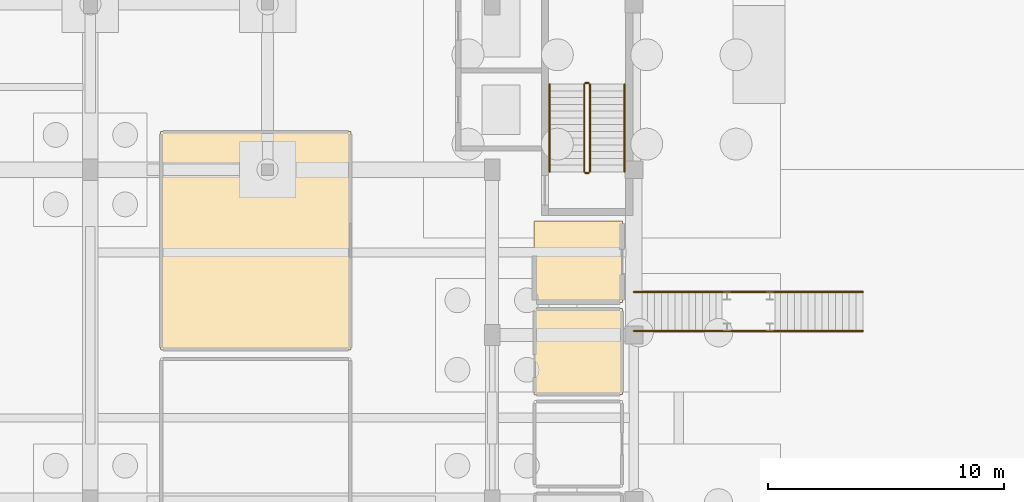
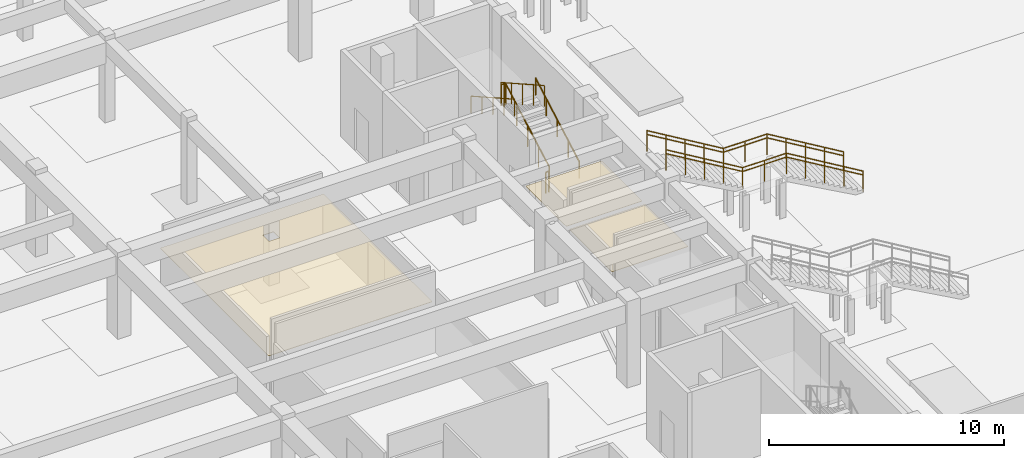
# One storey, part 81 of 84: 10 railings, 3 coverings.
"""IFC4 building model written with IfcOpenShell, lengths in metres."""

from ifc_helpers import new_model, si_unit, direction, frame, origin, origin_2d, place, context, subcontext, project, spatial, polyline, circle, outline, extrude, material, layer, layer_set, type_object, element, save


model = new_model("IFC4")

# Units and contexts
model_context = context("Model", 3, precision=1e-05, world=origin(), true_north=direction((0.0, 1.0)))
body_context = subcontext(model_context, "Body", "Model", "MODEL_VIEW")
ifc_project = project(units=[si_unit("LENGTHUNIT", "METRE"), si_unit("AREAUNIT", "SQUARE_METRE"), si_unit("VOLUMEUNIT", "CUBIC_METRE"), si_unit("PLANEANGLEUNIT", "RADIAN"), si_unit("MASSUNIT", "GRAM", prefix="KILO")], contexts=[model_context])

# Site, building, storey
site_placement = place(None, origin())
site = spatial("IfcSite", under=ifc_project, at=site_placement, CompositionType="ELEMENT")
building_placement = place(site_placement, origin())
building = spatial("IfcBuilding", under=site, at=building_placement, Name="Larkveld Mobility Hub", CompositionType="ELEMENT")
storey_placement = place(building_placement, origin())
storey = spatial("IfcBuildingStorey", under=building, at=storey_placement, Name="L00", CompositionType="ELEMENT", Elevation=0.0)

# Coverings
ifc_material_1 = material(Name="Perforated mineral-fibre acoustic ceiling", Category="masonry")
ifc_layer_1 = layer(ifc_material_1, 0.02001953125, Name="Perforated mineral-fibre acoustic ceiling", Category="masonry")
ifc_layer_set_1 = layer_set([ifc_layer_1], Name="Perforated mineral-fibre acoustic ceiling")
covering_type_1 = type_object("IfcCoveringType", Name="CV-CLG-020", PredefinedType="CEILING", material=ifc_layer_set_1)
covering_1_placement = place(storey_placement, frame((0.0, 0.0, 2.330078125)))
element("IfcCovering", 1, at=covering_1_placement, inside=storey, type_object=covering_type_1, Name="Cleaners Store Room Acoustic Ceiling 004", PredefinedType="CEILING", context=body_context, shape_type="SweptSolid", body=[
    extrude(outline(polyline([(147.820068359375, 50.3701171875), (147.81689453125, 50.3701171875), (147.81396484375, 50.37109375), (147.81103515625, 50.37109375), (147.80908203125, 50.3720703125), (147.805908203125, 50.3740234375), (147.802978515625, 50.375), (147.801025390625, 50.376953125), (147.799072265625, 50.37890625), (147.779052734375, 50.39892578125), (147.777099609375, 50.40087890625), (147.77490234375, 50.403076171875), (147.77392578125, 50.406005859375), (147.77197265625, 50.408935546875), (147.77099609375, 50.410888671875), (147.77099609375, 50.4140625), (147.77001953125, 50.4169921875), (147.77001953125, 50.419921875), (147.77587890625, 53.7939453125), (147.77587890625, 53.797119140625), (147.77587890625, 53.800048828125), (147.777099609375, 53.802978515625), (147.778076171875, 53.805908203125), (147.779052734375, 53.80810546875), (147.781005859375, 53.81103515625), (147.782958984375, 53.81298828125), (147.784912109375, 53.81494140625), (147.787109375, 53.81689453125), (147.7890625, 53.819091796875), (147.7919921875, 53.821044921875), (147.7939453125, 53.822021484375), (147.797119140625, 53.822998046875), (147.800048828125, 53.823974609375), (147.802978515625, 53.823974609375), (147.805908203125, 53.823974609375), (151.493896484375, 53.823974609375), (151.4970703125, 53.823974609375), (151.5, 53.823974609375), (151.5029296875, 53.822998046875), (151.506103515625, 53.822021484375), (151.508056640625, 53.821044921875), (151.510986328125, 53.819091796875), (151.512939453125, 53.81689453125), (151.514892578125, 53.81494140625), (151.51708984375, 53.81298828125), (151.51904296875, 53.81103515625), (151.52099609375, 53.80810546875), (151.52197265625, 53.805908203125), (151.52294921875, 53.802978515625), (151.52392578125, 53.800048828125), (151.52392578125, 53.797119140625), (151.52392578125, 53.7939453125), (151.52392578125, 50.406005859375), (151.52392578125, 50.403076171875), (151.52392578125, 50.39990234375), (151.52294921875, 50.39697265625), (151.52197265625, 50.39404296875), (151.52099609375, 50.39208984375), (151.51904296875, 50.388916015625), (151.51708984375, 50.386962890625), (151.514892578125, 50.385009765625), (151.512939453125, 50.383056640625), (151.510986328125, 50.381103515625), (151.508056640625, 50.37890625), (151.506103515625, 50.3779296875), (151.5029296875, 50.376953125), (151.5, 50.3759765625), (151.4970703125, 50.3759765625), (151.493896484375, 50.3759765625), (147.820068359375, 50.3701171875)])), origin(), (0.0, 0.0, 1.0), 0.02001953125),
])
covering_2_placement = place(storey_placement, frame((0.0, 0.0, 2.330078125)))
element("IfcCovering", 2, at=covering_2_placement, inside=storey, type_object=covering_type_1, Name="Concourse Espresso Cafe Acoustic Ceiling 008", PredefinedType="CEILING", context=body_context, shape_type="SweptSolid", body=[
    extrude(outline(polyline([(132.01708984375, 48.3701171875), (132.013916015625, 48.37109375), (132.010986328125, 48.37109375), (132.009033203125, 48.3720703125), (132.006103515625, 48.3740234375), (132.0029296875, 48.375), (132.0009765625, 48.376953125), (131.9990234375, 48.37890625), (131.97900390625, 48.39892578125), (131.97705078125, 48.40087890625), (131.97509765625, 48.403076171875), (131.97412109375, 48.406005859375), (131.971923828125, 48.408935546875), (131.970947265625, 48.410888671875), (131.970947265625, 48.4140625), (131.969970703125, 48.4169921875), (131.969970703125, 48.419921875), (131.97509765625, 57.593017578125), (131.97509765625, 57.595947265625), (131.97509765625, 57.59912109375), (131.97607421875, 57.60107421875), (131.97705078125, 57.60400390625), (131.97802734375, 57.60693359375), (131.97998046875, 57.60888671875), (131.98095703125, 57.612060546875), (131.98291015625, 57.614013671875), (131.986083984375, 57.615966796875), (131.988037109375, 57.617919921875), (131.989990234375, 57.618896484375), (131.992919921875, 57.6201171875), (131.99609375, 57.62109375), (131.9990234375, 57.6220703125), (132.001953125, 57.623046875), (132.0048828125, 57.623046875), (139.992919921875, 57.625), (139.99609375, 57.625), (139.9990234375, 57.625), (140.0009765625, 57.6240234375), (140.00390625, 57.623046875), (140.007080078125, 57.6220703125), (140.009033203125, 57.6201171875), (140.011962890625, 57.618896484375), (140.013916015625, 57.616943359375), (140.01611328125, 57.614013671875), (140.01806640625, 57.612060546875), (140.01904296875, 57.610107421875), (140.02001953125, 57.60693359375), (140.02099609375, 57.60400390625), (140.02197265625, 57.60107421875), (140.02294921875, 57.597900390625), (140.02294921875, 57.594970703125), (140.02490234375, 48.406982421875), (140.02490234375, 48.404052734375), (140.02490234375, 48.40087890625), (140.02392578125, 48.39892578125), (140.02294921875, 48.39599609375), (140.02197265625, 48.39306640625), (140.02001953125, 48.39111328125), (140.01904296875, 48.387939453125), (140.01708984375, 48.385986328125), (140.014892578125, 48.384033203125), (140.011962890625, 48.382080078125), (140.010009765625, 48.381103515625), (140.007080078125, 48.3798828125), (140.00390625, 48.37890625), (140.0009765625, 48.3779296875), (139.998046875, 48.376953125), (139.9951171875, 48.376953125), (132.02001953125, 48.3701171875), (132.01708984375, 48.3701171875)]), holes=[polyline([(136.7548828125, 55.7451171875), (136.7548828125, 56.2548828125), (136.2451171875, 56.2548828125), (136.2451171875, 55.7451171875), (136.7548828125, 55.7451171875)])]), origin(), (0.0, 0.0, 1.0), 0.02001953125),
])
ifc_material_2 = material(Name="Moisture-resistant gypsum board ceiling", Category="masonry")
ifc_layer_2 = layer(ifc_material_2, 0.02490234375, Name="Moisture-resistant gypsum board ceiling", Category="masonry")
ifc_layer_set_2 = layer_set([ifc_layer_2], Name="Moisture-resistant gypsum board ceiling")
covering_type_2 = type_object("IfcCoveringType", Name="CV-CLG-025", PredefinedType="CEILING", material=ifc_layer_set_2)
covering_3_placement = place(storey_placement, frame((0.0, 0.0, 2.324951171875)))
element("IfcCovering", 3, at=covering_3_placement, inside=storey, type_object=covering_type_2, Name="Accessible Unisex Toilet Acoustic Ceiling 003", PredefinedType="CEILING", context=body_context, shape_type="SweptSolid", body=[
    extrude(outline(polyline([(147.820068359375, 46.469970703125), (147.81689453125, 46.469970703125), (147.81396484375, 46.470947265625), (147.81103515625, 46.470947265625), (147.80908203125, 46.471923828125), (147.805908203125, 46.47412109375), (147.802978515625, 46.47509765625), (147.801025390625, 46.47705078125), (147.799072265625, 46.47900390625), (147.779052734375, 46.4990234375), (147.777099609375, 46.5009765625), (147.77490234375, 46.5029296875), (147.77392578125, 46.506103515625), (147.77197265625, 46.509033203125), (147.77099609375, 46.510986328125), (147.77099609375, 46.513916015625), (147.77001953125, 46.51708984375), (147.77001953125, 46.52001953125), (147.77587890625, 50.093994140625), (147.77587890625, 50.096923828125), (147.77587890625, 50.10009765625), (147.777099609375, 50.10302734375), (147.778076171875, 50.10595703125), (147.779052734375, 50.10791015625), (147.781005859375, 50.111083984375), (147.782958984375, 50.113037109375), (147.784912109375, 50.114990234375), (147.787109375, 50.116943359375), (147.7890625, 50.118896484375), (147.7919921875, 50.12109375), (147.7939453125, 50.1220703125), (147.797119140625, 50.123046875), (147.800048828125, 50.1240234375), (147.802978515625, 50.1240234375), (147.805908203125, 50.1240234375), (151.493896484375, 50.1240234375), (151.4970703125, 50.1240234375), (151.5, 50.1240234375), (151.5029296875, 50.123046875), (151.506103515625, 50.1220703125), (151.508056640625, 50.12109375), (151.510986328125, 50.118896484375), (151.512939453125, 50.116943359375), (151.514892578125, 50.114990234375), (151.51708984375, 50.113037109375), (151.51904296875, 50.111083984375), (151.52099609375, 50.10791015625), (151.52197265625, 50.10595703125), (151.52294921875, 50.10302734375), (151.52392578125, 50.10009765625), (151.52392578125, 50.096923828125), (151.52392578125, 50.093994140625), (151.52392578125, 46.506103515625), (151.52392578125, 46.5029296875), (151.52392578125, 46.5), (151.52294921875, 46.4970703125), (151.52197265625, 46.493896484375), (151.52099609375, 46.491943359375), (151.51904296875, 46.489013671875), (151.51708984375, 46.487060546875), (151.514892578125, 46.485107421875), (151.512939453125, 46.48291015625), (151.510986328125, 46.48095703125), (151.508056640625, 46.47900390625), (151.506103515625, 46.47802734375), (151.5029296875, 46.47705078125), (151.5, 46.47607421875), (151.4970703125, 46.47607421875), (151.493896484375, 46.47607421875), (147.820068359375, 46.469970703125)])), origin(), (0.0, 0.0, 1.0), 0.025146484375),
])

# Railings
ifc_material_3 = material(Name="Galvanized Steel S355JR balustrade", Category="steel")
railing_type_1 = type_object("IfcRailingType", Name="RL-GRD-1100", PredefinedType="GUARDRAIL", material=ifc_material_3)
railing_1_placement = place(storey_placement, frame((150.139892578125, 55.909912109375, 0.16064453125)))
element("IfcRailing", 4, at=railing_1_placement, inside=storey, type_object=railing_type_1, Name="L00 ST2 stair guard 1", PredefinedType="GUARDRAIL", context=body_context, shape_type="SweptSolid", body=[
    extrude(circle(Radius=0.02392578125, at=origin_2d()), frame((0.0, 0.0, 1.076171875), z_axis=(0.0, 0.871047735535, 0.491198373795), x_axis=(-1.0, 0.0, 0.0)), (0.0, 0.0, 1.0), 4.253662109375),
    extrude(circle(Radius=0.02099609375, at=origin_2d()), origin(), (0.0, 0.0, 1.0), 1.052001953125),
    extrude(circle(Radius=0.02099609375, at=origin_2d()), frame((0.0, 0.92626953125, 0.5224609375)), (0.0, 0.0, 1.0), 1.052001953125),
    extrude(circle(Radius=0.02099609375, at=origin_2d()), frame((0.0, 1.8525390625, 1.044677734375)), (0.0, 0.0, 1.0), 1.052001953125),
    extrude(circle(Radius=0.02099609375, at=origin_2d()), frame((0.0, 2.77880859375, 1.56689453125)), (0.0, 0.0, 1.0), 1.052001953125),
    extrude(circle(Radius=0.02099609375, at=origin_2d()), frame((0.0, 3.705078125, 2.08935546875)), (0.0, 0.0, 1.0), 1.052001953125),
])
railing_2_placement = place(storey_placement, frame((150.090087890625, 59.6650390625, 2.25)))
element("IfcRailing", 5, at=railing_2_placement, inside=storey, type_object=railing_type_1, Name="L00 ST2 stair guard 2", PredefinedType="GUARDRAIL", context=body_context, shape_type="SweptSolid", body=[
    extrude(circle(Radius=0.02392578125, at=origin_2d()), frame((0.0, 0.0, 1.076171875), z_axis=(-1.0, 0.0, 0.0), x_axis=(0.0, -1.0, 0.0)), (0.0, 0.0, 1.0), 0.150146484375),
    extrude(circle(Radius=0.02099609375, at=origin_2d()), origin(), (0.0, 0.0, 1.0), 1.052001953125),
    extrude(circle(Radius=0.02099609375, at=origin_2d()), frame((-0.150146484375, 0.0, 0.0)), (0.0, 0.0, 1.0), 1.052001953125),
])
railing_3_placement = place(storey_placement, frame((149.889892578125, 59.614990234375, 2.41064453125)))
element("IfcRailing", 6, at=railing_3_placement, inside=storey, type_object=railing_type_1, Name="L00 ST2 stair guard 3", PredefinedType="GUARDRAIL", context=body_context, shape_type="SweptSolid", body=[
    extrude(circle(Radius=0.02392578125, at=origin_2d()), frame((0.0, 0.0, 1.076171875), z_axis=(0.0, -0.871047735535, 0.491198373795), x_axis=(1.0, 0.0, 0.0)), (0.0, 0.0, 1.0), 4.253662109375),
    extrude(circle(Radius=0.02099609375, at=origin_2d()), origin(), (0.0, 0.0, 1.0), 1.052001953125),
    extrude(circle(Radius=0.02099609375, at=origin_2d()), frame((0.0, -0.92626953125, 0.5224609375)), (0.0, 0.0, 1.0), 1.052001953125),
    extrude(circle(Radius=0.02099609375, at=origin_2d()), frame((0.0, -1.8525390625, 1.044677734375)), (0.0, 0.0, 1.0), 1.052001953125),
    extrude(circle(Radius=0.02099609375, at=origin_2d()), frame((0.0, -2.77880859375, 1.56689453125)), (0.0, 0.0, 1.0), 1.052001953125),
    extrude(circle(Radius=0.02099609375, at=origin_2d()), frame((0.0, -3.705078125, 2.08935546875)), (0.0, 0.0, 1.0), 1.052001953125),
])
railing_4_placement = place(storey_placement, frame((150.090087890625, 55.860107421875, 0.0)))
element("IfcRailing", 7, at=railing_4_placement, inside=storey, type_object=railing_type_1, Name="L00 ST2 stair guard 4", PredefinedType="GUARDRAIL", context=body_context, shape_type="SweptSolid", body=[
    extrude(circle(Radius=0.02392578125, at=origin_2d()), frame((0.0, 0.0, 1.076171875), z_axis=(-1.0, 0.0, 0.0), x_axis=(0.0, -1.0, 0.0)), (0.0, 0.0, 1.0), 0.150146484375),
    extrude(circle(Radius=0.02099609375, at=origin_2d()), origin(), (0.0, 0.0, 1.0), 1.052001953125),
    extrude(circle(Radius=0.02099609375, at=origin_2d()), frame((-0.150146484375, 0.0, 0.0)), (0.0, 0.0, 1.0), 1.052001953125),
])
railing_5_placement = place(storey_placement, frame((161.68994140625, 50.824951171875, 0.0)))
element("IfcRailing", 8, at=railing_5_placement, inside=storey, type_object=railing_type_1, Name="Ticketing Concourse Straight Stair FS2 Guard L", PredefinedType="GUARDRAIL", context=body_context, shape_type="SweptSolid", body=[
    extrude(circle(Radius=0.02392578125, at=origin_2d()), frame((0.0, 0.0, 1.076171875), z_axis=(-0.858697585051, 0.0, 0.512482641098), x_axis=(0.0, -1.0, 0.0)), (0.0, 0.0, 1.0), 4.390380859375),
    extrude(circle(Radius=0.02392578125, at=origin_2d()), frame((-3.77001953125, 0.0, 3.326171875), z_axis=(-1.0, 0.0, 0.0), x_axis=(0.0, -1.0, 0.0)), (0.0, 0.0, 1.0), 2.14990234375),
    extrude(circle(Radius=0.02392578125, at=origin_2d()), frame((-5.919921875, 0.0, 3.326171875), z_axis=(-0.858697585051, 0.0, 0.512482641098), x_axis=(0.0, -1.0, 0.0)), (0.0, 0.0, 1.0), 4.390380859375),
    extrude(circle(Radius=0.02099609375, at=origin_2d()), origin(), (0.0, 0.0, 1.0), 1.052001953125),
    extrude(circle(Radius=0.02099609375, at=origin_2d()), frame((-0.9423828125, 0.0, 0.5625)), (0.0, 0.0, 1.0), 1.052001953125),
    extrude(circle(Radius=0.02099609375, at=origin_2d()), frame((-1.885009765625, 0.0, 1.125)), (0.0, 0.0, 1.0), 1.052001953125),
    extrude(circle(Radius=0.02099609375, at=origin_2d()), frame((-2.82763671875, 0.0, 1.6875)), (0.0, 0.0, 1.0), 1.052001953125),
    extrude(circle(Radius=0.02099609375, at=origin_2d()), frame((-3.77001953125, 0.0, 2.25)), (0.0, 0.0, 1.0), 1.052001953125),
    extrude(circle(Radius=0.02099609375, at=origin_2d()), frame((-4.844970703125, 0.0, 2.25)), (0.0, 0.0, 1.0), 1.052001953125),
    extrude(circle(Radius=0.02099609375, at=origin_2d()), frame((-5.919921875, 0.0, 2.25)), (0.0, 0.0, 1.0), 1.052001953125),
    extrude(circle(Radius=0.02099609375, at=origin_2d()), frame((-6.8623046875, 0.0, 2.8125)), (0.0, 0.0, 1.0), 1.052001953125),
    extrude(circle(Radius=0.02099609375, at=origin_2d()), frame((-7.804931640625, 0.0, 3.375)), (0.0, 0.0, 1.0), 1.052001953125),
    extrude(circle(Radius=0.02099609375, at=origin_2d()), frame((-8.74755859375, 0.0, 3.9375)), (0.0, 0.0, 1.0), 1.052001953125),
    extrude(circle(Radius=0.02099609375, at=origin_2d()), frame((-9.68994140625, 0.0, 4.5)), (0.0, 0.0, 1.0), 1.052001953125),
])
railing_6_placement = place(storey_placement, frame((161.68994140625, 49.175048828125, 0.0)))
element("IfcRailing", 9, at=railing_6_placement, inside=storey, type_object=railing_type_1, Name="Ticketing Concourse Straight Stair FS2 Guard R", PredefinedType="GUARDRAIL", context=body_context, shape_type="SweptSolid", body=[
    extrude(circle(Radius=0.02392578125, at=origin_2d()), frame((0.0, 0.0, 1.076171875), z_axis=(-0.858697585051, 0.0, 0.512482641098), x_axis=(0.0, -1.0, 0.0)), (0.0, 0.0, 1.0), 4.390380859375),
    extrude(circle(Radius=0.02392578125, at=origin_2d()), frame((-3.77001953125, 0.0, 3.326171875), z_axis=(-1.0, 0.0, 0.0), x_axis=(0.0, -1.0, 0.0)), (0.0, 0.0, 1.0), 2.14990234375),
    extrude(circle(Radius=0.02392578125, at=origin_2d()), frame((-5.919921875, 0.0, 3.326171875), z_axis=(-0.858697585051, 0.0, 0.512482641098), x_axis=(0.0, -1.0, 0.0)), (0.0, 0.0, 1.0), 4.390380859375),
    extrude(circle(Radius=0.02099609375, at=origin_2d()), origin(), (0.0, 0.0, 1.0), 1.052001953125),
    extrude(circle(Radius=0.02099609375, at=origin_2d()), frame((-0.9423828125, 0.0, 0.5625)), (0.0, 0.0, 1.0), 1.052001953125),
    extrude(circle(Radius=0.02099609375, at=origin_2d()), frame((-1.885009765625, 0.0, 1.125)), (0.0, 0.0, 1.0), 1.052001953125),
    extrude(circle(Radius=0.02099609375, at=origin_2d()), frame((-2.82763671875, 0.0, 1.6875)), (0.0, 0.0, 1.0), 1.052001953125),
    extrude(circle(Radius=0.02099609375, at=origin_2d()), frame((-3.77001953125, 0.0, 2.25)), (0.0, 0.0, 1.0), 1.052001953125),
    extrude(circle(Radius=0.02099609375, at=origin_2d()), frame((-4.844970703125, 0.0, 2.25)), (0.0, 0.0, 1.0), 1.052001953125),
    extrude(circle(Radius=0.02099609375, at=origin_2d()), frame((-5.919921875, 0.0, 2.25)), (0.0, 0.0, 1.0), 1.052001953125),
    extrude(circle(Radius=0.02099609375, at=origin_2d()), frame((-6.8623046875, 0.0, 2.8125)), (0.0, 0.0, 1.0), 1.052001953125),
    extrude(circle(Radius=0.02099609375, at=origin_2d()), frame((-7.804931640625, 0.0, 3.375)), (0.0, 0.0, 1.0), 1.052001953125),
    extrude(circle(Radius=0.02099609375, at=origin_2d()), frame((-8.74755859375, 0.0, 3.9375)), (0.0, 0.0, 1.0), 1.052001953125),
    extrude(circle(Radius=0.02099609375, at=origin_2d()), frame((-9.68994140625, 0.0, 4.5)), (0.0, 0.0, 1.0), 1.052001953125),
])
ifc_material_4 = material(Name="Brushed Steel S355JR tubular handrail", Category="steel")
railing_type_2 = type_object("IfcRailingType", Name="RL-HND-0900", PredefinedType="HANDRAIL", material=ifc_material_4)
railing_7_placement = place(storey_placement, frame((151.60009765625, 55.909912109375, 0.16064453125)))
element("IfcRailing", 10, at=railing_7_placement, inside=storey, type_object=railing_type_2, Name="L00 ST2 stair handrail 1", PredefinedType="HANDRAIL", context=body_context, shape_type="SweptSolid", body=[
    extrude(circle(Radius=0.02392578125, at=origin_2d()), frame((0.0, 0.0, 0.8759765625), z_axis=(0.0, 0.871047735535, 0.491198373795), x_axis=(-1.0, 0.0, 0.0)), (0.0, 0.0, 1.0), 4.253662109375),
    extrude(circle(Radius=0.02099609375, at=origin_2d()), origin(), (0.0, 0.0, 1.0), 0.851806640625),
    extrude(circle(Radius=0.02099609375, at=origin_2d()), frame((0.0, 0.92626953125, 0.5224609375)), (0.0, 0.0, 1.0), 0.851806640625),
    extrude(circle(Radius=0.02099609375, at=origin_2d()), frame((0.0, 1.8525390625, 1.044677734375)), (0.0, 0.0, 1.0), 0.851806640625),
    extrude(circle(Radius=0.02099609375, at=origin_2d()), frame((0.0, 2.77880859375, 1.56689453125)), (0.0, 0.0, 1.0), 0.851806640625),
    extrude(circle(Radius=0.02099609375, at=origin_2d()), frame((0.0, 3.705078125, 2.08935546875)), (0.0, 0.0, 1.0), 0.851806640625),
])
railing_8_placement = place(storey_placement, frame((148.429931640625, 59.614990234375, 2.41064453125)))
element("IfcRailing", 11, at=railing_8_placement, inside=storey, type_object=railing_type_2, Name="L00 ST2 stair handrail 2", PredefinedType="HANDRAIL", context=body_context, shape_type="SweptSolid", body=[
    extrude(circle(Radius=0.02392578125, at=origin_2d()), frame((0.0, 0.0, 0.8759765625), z_axis=(0.0, -0.871047735535, 0.491198373795), x_axis=(1.0, 0.0, 0.0)), (0.0, 0.0, 1.0), 4.253662109375),
    extrude(circle(Radius=0.02099609375, at=origin_2d()), origin(), (0.0, 0.0, 1.0), 0.851806640625),
    extrude(circle(Radius=0.02099609375, at=origin_2d()), frame((0.0, -0.92626953125, 0.5224609375)), (0.0, 0.0, 1.0), 0.851806640625),
    extrude(circle(Radius=0.02099609375, at=origin_2d()), frame((0.0, -1.8525390625, 1.044677734375)), (0.0, 0.0, 1.0), 0.851806640625),
    extrude(circle(Radius=0.02099609375, at=origin_2d()), frame((0.0, -2.77880859375, 1.56689453125)), (0.0, 0.0, 1.0), 0.851806640625),
    extrude(circle(Radius=0.02099609375, at=origin_2d()), frame((0.0, -3.705078125, 2.08935546875)), (0.0, 0.0, 1.0), 0.851806640625),
])
railing_9_placement = place(storey_placement, frame((161.68994140625, 50.824951171875, 0.0)))
element("IfcRailing", 12, at=railing_9_placement, inside=storey, type_object=railing_type_2, Name="Ticketing Concourse Straight Stair FS2 Handrail L", PredefinedType="HANDRAIL", context=body_context, shape_type="SweptSolid", body=[
    extrude(circle(Radius=0.02392578125, at=origin_2d()), frame((0.0, 0.0, 0.8759765625), z_axis=(-0.858697585051, 0.0, 0.512482641098), x_axis=(0.0, -1.0, 0.0)), (0.0, 0.0, 1.0), 4.390380859375),
    extrude(circle(Radius=0.02392578125, at=origin_2d()), frame((-3.77001953125, 0.0, 3.1259765625), z_axis=(-1.0, 0.0, 0.0), x_axis=(0.0, -1.0, 0.0)), (0.0, 0.0, 1.0), 2.14990234375),
    extrude(circle(Radius=0.02392578125, at=origin_2d()), frame((-5.919921875, 0.0, 3.1259765625), z_axis=(-0.858697585051, 0.0, 0.512482641098), x_axis=(0.0, -1.0, 0.0)), (0.0, 0.0, 1.0), 4.390380859375),
    extrude(circle(Radius=0.02099609375, at=origin_2d()), origin(), (0.0, 0.0, 1.0), 0.851806640625),
    extrude(circle(Radius=0.02099609375, at=origin_2d()), frame((-0.9423828125, 0.0, 0.5625)), (0.0, 0.0, 1.0), 0.851806640625),
    extrude(circle(Radius=0.02099609375, at=origin_2d()), frame((-1.885009765625, 0.0, 1.125)), (0.0, 0.0, 1.0), 0.851806640625),
    extrude(circle(Radius=0.02099609375, at=origin_2d()), frame((-2.82763671875, 0.0, 1.6875)), (0.0, 0.0, 1.0), 0.851806640625),
    extrude(circle(Radius=0.02099609375, at=origin_2d()), frame((-3.77001953125, 0.0, 2.25)), (0.0, 0.0, 1.0), 0.851806640625),
    extrude(circle(Radius=0.02099609375, at=origin_2d()), frame((-4.844970703125, 0.0, 2.25)), (0.0, 0.0, 1.0), 0.851806640625),
    extrude(circle(Radius=0.02099609375, at=origin_2d()), frame((-5.919921875, 0.0, 2.25)), (0.0, 0.0, 1.0), 0.851806640625),
    extrude(circle(Radius=0.02099609375, at=origin_2d()), frame((-6.8623046875, 0.0, 2.8125)), (0.0, 0.0, 1.0), 0.851806640625),
    extrude(circle(Radius=0.02099609375, at=origin_2d()), frame((-7.804931640625, 0.0, 3.375)), (0.0, 0.0, 1.0), 0.851806640625),
    extrude(circle(Radius=0.02099609375, at=origin_2d()), frame((-8.74755859375, 0.0, 3.9375)), (0.0, 0.0, 1.0), 0.851806640625),
    extrude(circle(Radius=0.02099609375, at=origin_2d()), frame((-9.68994140625, 0.0, 4.5)), (0.0, 0.0, 1.0), 0.851806640625),
])
railing_10_placement = place(storey_placement, frame((161.68994140625, 49.175048828125, 0.0)))
element("IfcRailing", 13, at=railing_10_placement, inside=storey, type_object=railing_type_2, Name="Ticketing Concourse Straight Stair FS2 Handrail R", PredefinedType="HANDRAIL", context=body_context, shape_type="SweptSolid", body=[
    extrude(circle(Radius=0.02392578125, at=origin_2d()), frame((0.0, 0.0, 0.8759765625), z_axis=(-0.858697585051, 0.0, 0.512482641098), x_axis=(0.0, -1.0, 0.0)), (0.0, 0.0, 1.0), 4.390380859375),
    extrude(circle(Radius=0.02392578125, at=origin_2d()), frame((-3.77001953125, 0.0, 3.1259765625), z_axis=(-1.0, 0.0, 0.0), x_axis=(0.0, -1.0, 0.0)), (0.0, 0.0, 1.0), 2.14990234375),
    extrude(circle(Radius=0.02392578125, at=origin_2d()), frame((-5.919921875, 0.0, 3.1259765625), z_axis=(-0.858697585051, 0.0, 0.512482641098), x_axis=(0.0, -1.0, 0.0)), (0.0, 0.0, 1.0), 4.390380859375),
    extrude(circle(Radius=0.02099609375, at=origin_2d()), origin(), (0.0, 0.0, 1.0), 0.851806640625),
    extrude(circle(Radius=0.02099609375, at=origin_2d()), frame((-0.9423828125, 0.0, 0.5625)), (0.0, 0.0, 1.0), 0.851806640625),
    extrude(circle(Radius=0.02099609375, at=origin_2d()), frame((-1.885009765625, 0.0, 1.125)), (0.0, 0.0, 1.0), 0.851806640625),
    extrude(circle(Radius=0.02099609375, at=origin_2d()), frame((-2.82763671875, 0.0, 1.6875)), (0.0, 0.0, 1.0), 0.851806640625),
    extrude(circle(Radius=0.02099609375, at=origin_2d()), frame((-3.77001953125, 0.0, 2.25)), (0.0, 0.0, 1.0), 0.851806640625),
    extrude(circle(Radius=0.02099609375, at=origin_2d()), frame((-4.844970703125, 0.0, 2.25)), (0.0, 0.0, 1.0), 0.851806640625),
    extrude(circle(Radius=0.02099609375, at=origin_2d()), frame((-5.919921875, 0.0, 2.25)), (0.0, 0.0, 1.0), 0.851806640625),
    extrude(circle(Radius=0.02099609375, at=origin_2d()), frame((-6.8623046875, 0.0, 2.8125)), (0.0, 0.0, 1.0), 0.851806640625),
    extrude(circle(Radius=0.02099609375, at=origin_2d()), frame((-7.804931640625, 0.0, 3.375)), (0.0, 0.0, 1.0), 0.851806640625),
    extrude(circle(Radius=0.02099609375, at=origin_2d()), frame((-8.74755859375, 0.0, 3.9375)), (0.0, 0.0, 1.0), 0.851806640625),
    extrude(circle(Radius=0.02099609375, at=origin_2d()), frame((-9.68994140625, 0.0, 4.5)), (0.0, 0.0, 1.0), 0.851806640625),
])

save(model, "model.ifc")
